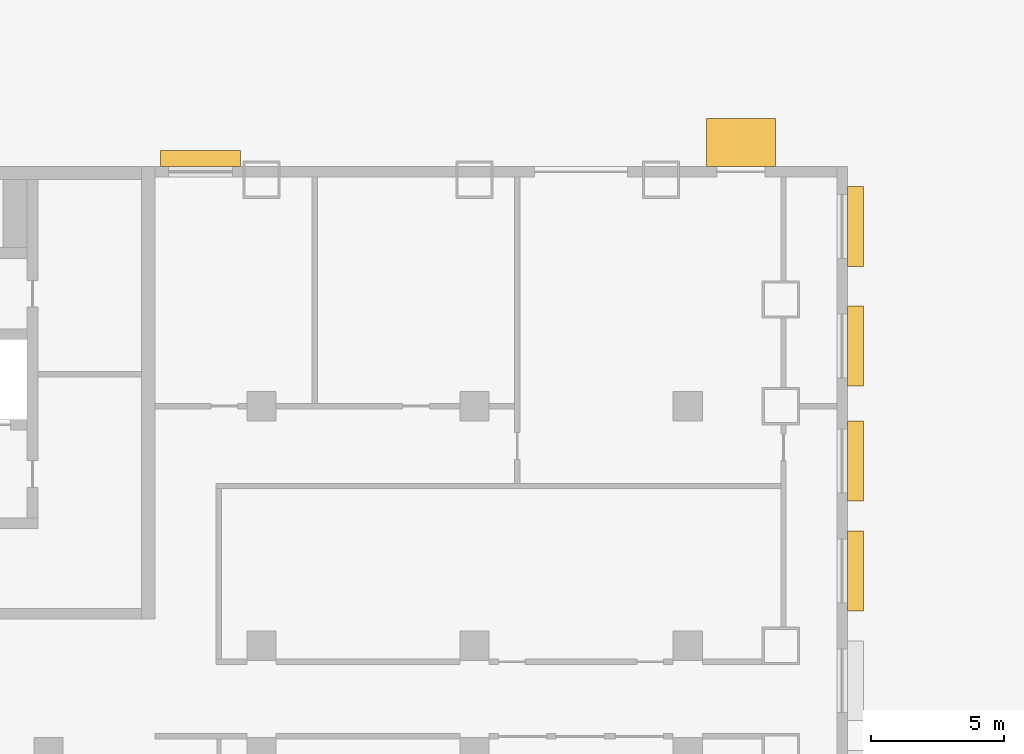
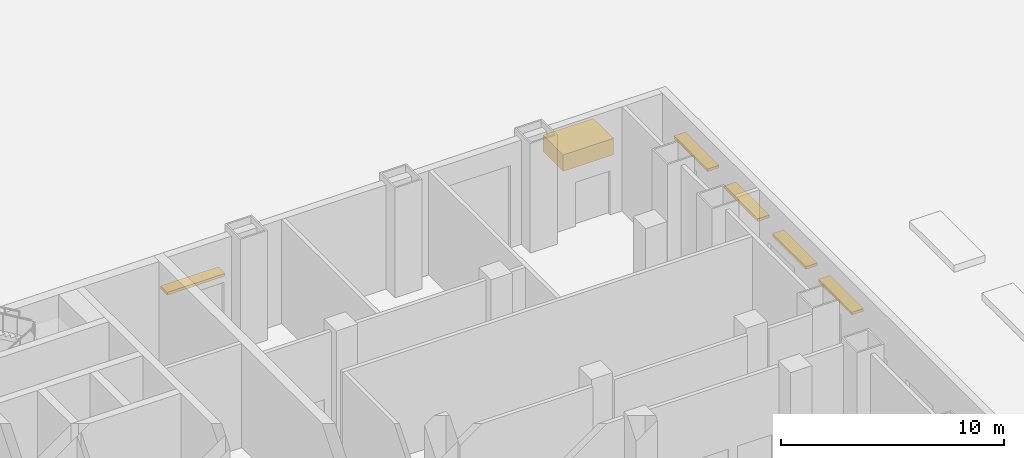
# One storey, part 17 of 18: 6 shading devices.
"""IFC4 building model written with IfcOpenShell, lengths in metres."""

import ifcopenshell
import ifcopenshell.guid

model = None  # the IFC model being written
_history = None  # IfcOwnerHistory: only IFC2X3 demands one
_inside = {}  # id of a spatial element -> (the spatial element, [elements in it])
_under = {}  # id of a project, library or spatial element -> (it, [spatial elements below it])
_declared = {}  # id of a project -> (the project, [libraries it declares])
_typed = {}  # id of a type object -> (the type object, [elements of that type])
_made_of = {}  # id of a material, layer set ... -> (it, [elements and type objects made of it])


def new_model(schema):
    """Start an empty IFC model of exactly this schema.

    Asked for "IFC4X3", IfcOpenShell would pick the latest addendum, in which some entities
    have other attributes; the version numbers below select the first issue.
    IFC2X3 requires an IfcOwnerHistory on every rooted entity: one is made here for all.
    """
    global model, _history
    if schema == "IFC4X3":
        model = ifcopenshell.file(schema_version=(4, 3, 0, 0))
    else:
        model = ifcopenshell.file(schema=schema)
    _inside.clear()
    _under.clear()
    _declared.clear()
    _typed.clear()
    _made_of.clear()
    _history = None
    if model.schema == "IFC2X3":
        org = make("IfcOrganization", Name="unknown")
        user = make(
            "IfcPersonAndOrganization",
            ThePerson=make("IfcPerson", FamilyName="unknown"),
            TheOrganization=org,
        )
        app = make(
            "IfcApplication",
            ApplicationDeveloper=org,
            Version="unknown",
            ApplicationFullName="unknown",
            ApplicationIdentifier="unknown",
        )
        _history = make(
            "IfcOwnerHistory",
            OwningUser=user,
            OwningApplication=app,
            ChangeAction="ADDED",
            CreationDate=0,
        )
    return model


def make(cls, **values):
    """One entity of the class cls with the attributes given. An attribute that is None is left unset."""
    return model.create_entity(
        cls, **{name: value for name, value in values.items() if value is not None}
    )


def rooted(cls, **values):
    """An entity with a GlobalId (a new one), such as an element, a storey or a relation."""
    return make(cls, GlobalId=ifcopenshell.guid.new(), OwnerHistory=_history, **values)


def si_unit(unit_type, name, prefix=None):
    """IfcSIUnit, for example si_unit("LENGTHUNIT", "METRE", prefix="MILLI")."""
    return make("IfcSIUnit", UnitType=unit_type, Prefix=prefix, Name=name)


def assignment(units):
    """IfcUnitAssignment: the units of a project."""
    return None if units is None else make("IfcUnitAssignment", Units=units)


def point(xyz):
    """IfcCartesianPoint."""
    return None if xyz is None else make("IfcCartesianPoint", Coordinates=xyz)


def direction(xyz):
    """IfcDirection."""
    return None if xyz is None else make("IfcDirection", DirectionRatios=xyz)


def frame(location, z_axis=None, x_axis=None):
    """IfcAxis2Placement3D, a coordinate frame: its origin and axes. An axis left out is left unset."""
    return make(
        "IfcAxis2Placement3D",
        Location=point(location),
        Axis=direction(z_axis),
        RefDirection=direction(x_axis),
    )


def frame_2d(location, x_axis=None):
    """IfcAxis2Placement2D, a coordinate frame in the plane: its origin and x axis."""
    return make(
        "IfcAxis2Placement2D", Location=point(location), RefDirection=direction(x_axis)
    )


def origin():
    """The frame at (0, 0, 0) with its axes left unset."""
    return frame((0.0, 0.0, 0.0))


def origin_2d():
    """The frame at (0, 0) in the plane with its x axis left unset."""
    return frame_2d((0.0, 0.0))


def place(relative_to, where):
    """IfcLocalPlacement: puts the frame where relative to a parent placement (None: the world)."""
    return make(
        "IfcLocalPlacement", PlacementRelTo=relative_to, RelativePlacement=where
    )


def context(
    kind, dimensions, precision=None, world=None, true_north=None, identifier=None
):
    """IfcGeometricRepresentationContext, for example the 3D "Model" context."""
    return make(
        "IfcGeometricRepresentationContext",
        ContextIdentifier=identifier,
        ContextType=kind,
        CoordinateSpaceDimension=dimensions,
        Precision=precision,
        WorldCoordinateSystem=world,
        TrueNorth=true_north,
    )


def subcontext(parent, identifier, kind, view, scale=None):
    """IfcGeometricRepresentationSubContext, for example "Body" below "Model"."""
    return make(
        "IfcGeometricRepresentationSubContext",
        ContextIdentifier=identifier,
        ContextType=kind,
        ParentContext=parent,
        TargetScale=scale,
        TargetView=view,
    )


def project(units=None, contexts=None):
    """IfcProject with its units and contexts."""
    return rooted(
        "IfcProject",
        Name="project",
        RepresentationContexts=contexts,
        UnitsInContext=assignment(units),
    )


def spatial(cls, under=None, at=None, **own):
    """A site, building, storey or space (cls), placed at a placement, below another one or the project."""
    s = rooted(cls, ObjectPlacement=at, **own)
    if under is not None:
        _under.setdefault(under.id(), (under, []))[1].append(s)
    return s


def profile(cls, at=None, kind="AREA", **sizes):
    """A parametric profile (cls). Its sizes go by their IFC names, for example OverallWidth=200.0."""
    return make(cls, ProfileType=kind, Position=at, **sizes)


def rectangle(**sizes):
    """IfcRectangleProfileDef."""
    return profile("IfcRectangleProfileDef", **sizes)


def extrude(swept, where, along, depth):
    """IfcExtrudedAreaSolid: the profile swept, set in the frame where, extruded along a direction by depth."""
    return make(
        "IfcExtrudedAreaSolid",
        SweptArea=swept,
        Position=where,
        ExtrudedDirection=direction(along),
        Depth=depth,
    )


def shape(context_of_items, identifier, shape_type, items):
    """IfcShapeRepresentation: the items that make up one representation, for example the "Body"."""
    return make(
        "IfcShapeRepresentation",
        ContextOfItems=context_of_items,
        RepresentationIdentifier=identifier,
        RepresentationType=shape_type,
        Items=items,
    )


def material(Name=None, Category=None):
    """IfcMaterial."""
    return make("IfcMaterial", Name=Name, Category=Category)


def layer(
    of_material, thickness, ventilated=None, Name=None, Category=None, Priority=None
):
    """IfcMaterialLayer: one layer of a wall or slab, of a material (None: an air gap)."""
    return make(
        "IfcMaterialLayer",
        Material=of_material,
        LayerThickness=thickness,
        IsVentilated=ventilated,
        Name=Name,
        Category=Category,
        Priority=Priority,
    )


def layer_set(layers, Name=None):
    """IfcMaterialLayerSet."""
    return make("IfcMaterialLayerSet", MaterialLayers=layers, LayerSetName=Name)


def made_of(thing, what):
    """Note that an element or type object is made of a material, layer set ...; save() writes the relation."""
    if what is not None:
        _made_of.setdefault(what.id(), (what, []))[1].append(thing)
    return thing


def type_object(cls, material=None, **own):
    """A type object (cls), such as IfcWallType, which elements share."""
    return made_of(rooted(cls, **own), material)


def element(
    cls,
    number,
    at=None,
    inside=None,
    cuts=None,
    type_object=None,
    material=None,
    context=None,
    identifier="Body",
    shape_type=None,
    held_by="IfcProductDefinitionShape",
    body=None,
    shapes=None,
    **own,
):
    """One element of the class cls, such as IfcWall. Its Tag is "e" and its number.

    at: its placement. inside: the storey or other place that contains it. cuts: it is an
    opening in that element (IfcRelVoidsElement). A single representation is given by context,
    identifier, shape_type and body (its items); several are given by shapes. held_by: the class
    of the entity that holds the representations. save() writes the other relations.
    """
    e = rooted(cls, Tag="e%d" % number, ObjectPlacement=at, **own)
    if body is not None:
        shapes = [shape(context, identifier, shape_type, body)]
    if shapes is not None:
        e.Representation = make(held_by, Representations=shapes)
    if inside is not None:
        _inside.setdefault(inside.id(), (inside, []))[1].append(e)
    if cuts is not None:
        rooted(
            "IfcRelVoidsElement", RelatingBuildingElement=cuts, RelatedOpeningElement=e
        )
    if type_object is not None:
        _typed.setdefault(type_object.id(), (type_object, []))[1].append(e)
    return made_of(e, material)


def aggregate(whole, parts):
    """IfcRelAggregates: a whole, such as a stair, and the parts it consists of."""
    return rooted("IfcRelAggregates", RelatingObject=whole, RelatedObjects=parts)


def save(model, path):
    """Write the relations noted so far, then the file.

    IfcRelAggregates (storeys below a building ...), IfcRelContainedInSpatialStructure (elements
    in a storey), IfcRelDefinesByType, IfcRelAssociatesMaterial and IfcRelDeclares: one each for
    every whole, place, type object, material and project.
    """
    for whole, parts in _under.values():
        aggregate(whole, parts)
    for where, things in _inside.values():
        rooted(
            "IfcRelContainedInSpatialStructure",
            RelatedElements=things,
            RelatingStructure=where,
        )
    for kind, things in _typed.values():
        rooted("IfcRelDefinesByType", RelatedObjects=things, RelatingType=kind)
    for what, things in _made_of.values():
        rooted("IfcRelAssociatesMaterial", RelatedObjects=things, RelatingMaterial=what)
    for by, libraries in _declared.values():
        rooted("IfcRelDeclares", RelatingContext=by, RelatedDefinitions=libraries)
    model.write(path)


model = new_model("IFC4")

# Units and contexts
model_context = context("Model", 3, precision=1e-05, world=origin(), true_north=direction((0.0, 1.0)))
body_context = subcontext(model_context, "Body", "Model", "MODEL_VIEW")
ifc_project = project(units=[si_unit("LENGTHUNIT", "METRE"), si_unit("AREAUNIT", "SQUARE_METRE"), si_unit("VOLUMEUNIT", "CUBIC_METRE"), si_unit("PLANEANGLEUNIT", "RADIAN"), si_unit("MASSUNIT", "GRAM", prefix="KILO")], contexts=[model_context])

# Site, building, storey
site_placement = place(None, origin())
site = spatial("IfcSite", under=ifc_project, at=site_placement, CompositionType="ELEMENT")
building_placement = place(site_placement, origin())
building = spatial("IfcBuilding", under=site, at=building_placement, Name="Vidyagriha Tower", CompositionType="ELEMENT")
storey_placement = place(building_placement, origin())
storey = spatial("IfcBuildingStorey", under=building, at=storey_placement, Name="L00", CompositionType="ELEMENT", Elevation=0.0)

# Shading devices
ifc_material_1 = material(Name="Precast concrete C40/50 with brick facing", Category="concrete")
ifc_layer_1 = layer(ifc_material_1, 0.14990234375)
ifc_layer_set_1 = layer_set([ifc_layer_1], Name="Precast concrete C40/50 with brick facing")
shading_device_type_1 = type_object("IfcShadingDeviceType", Name="Brick chhajja window hood", PredefinedType="AWNING", material=ifc_layer_set_1)
for number, where, z_axis, x_axis, name in (
    (1, (40.300048828125, 4.8125, 3.300048828125), (0.0, 0.0, 1.0), (0.0, 1.0, 0.0), "Window hood L00 R01.16"),
    (2, (40.300048828125, 8.9375, 3.300048828125), (0.0, 0.0, 1.0), (0.0, 1.0, 0.0), "Window hood L00 R01.17"),
    (3, (40.300048828125, 13.25, 3.300048828125), (0.0, 0.0, 1.0), (0.0, 1.0, 0.0), "Window hood L00 R01.18"),
    (4, (40.300048828125, 17.75, 3.300048828125), (0.0, 0.0, 1.0), (0.0, 1.0, 0.0), "Window hood L00 R01.19"),
    (5, (15.7099609375, 20.300048828125, 3.300048828125), (0.0, 0.0, 1.0), (-1.0, 0.0, 0.0), "Window hood L00 R02.15"),
):
    element("IfcShadingDevice", number, at=place(storey_placement, frame(where, z_axis=z_axis, x_axis=x_axis)), inside=storey, type_object=shading_device_type_1, Name=name, PredefinedType="AWNING", context=body_context, shape_type="SweptSolid", body=[
        extrude(rectangle(XDim=3.0, YDim=0.60009765625, at=origin_2d()), origin(), (0.0, 0.0, 1.0), 0.14990234375),
    ])
ifc_material_2 = material(Name="Precast concrete C40/50 with brick facing", Category="concrete")
ifc_layer_2 = layer(ifc_material_2, 0.89990234375)
ifc_layer_set_2 = layer_set([ifc_layer_2], Name="Precast concrete C40/50 with brick facing")
shading_device_type_2 = type_object("IfcShadingDeviceType", Name="Brick-faced entrance portal hood", PredefinedType="USERDEFINED", material=ifc_layer_set_2)
shading_device_placement = place(storey_placement, frame((37.300048828125, 20.89990234375, 2.89990234375), z_axis=(0.0, 0.0, 1.0), x_axis=(-1.0, 0.0, 0.0)))
element("IfcShadingDevice", 6, at=shading_device_placement, inside=storey, type_object=shading_device_type_2, Name="Stair exit portal hood E5", ObjectType="PORTAL", PredefinedType="USERDEFINED", context=body_context, shape_type="SweptSolid", body=[
    extrude(rectangle(XDim=2.60009765625, YDim=1.800048828125, at=frame_2d((1.300048828125, 0.0))), origin(), (0.0, 0.0, 1.0), 0.900146484375),
])

save(model, "model.ifc")
